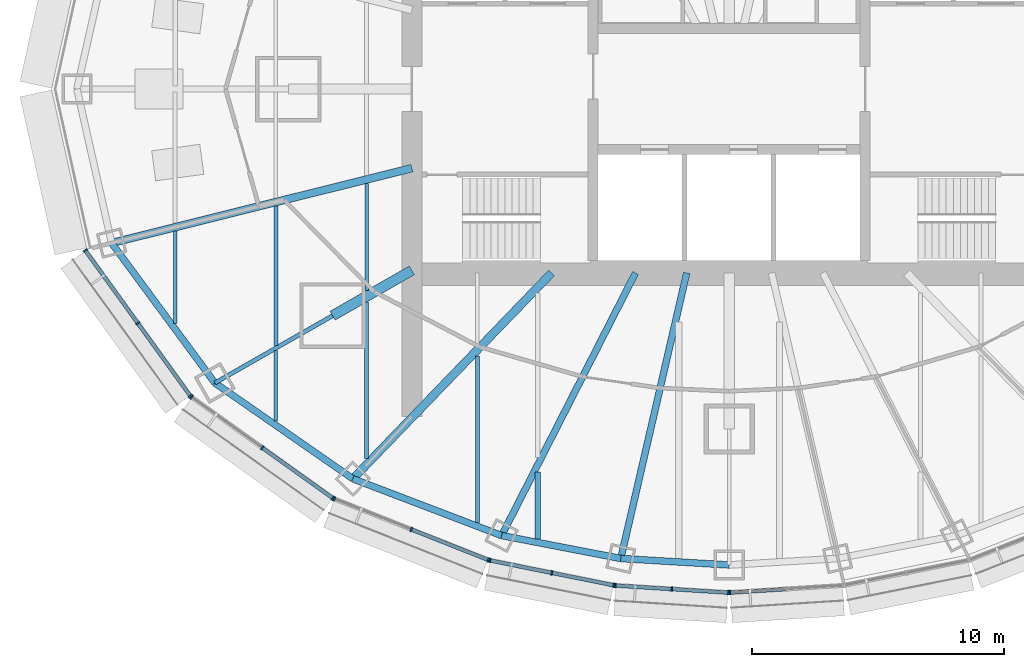
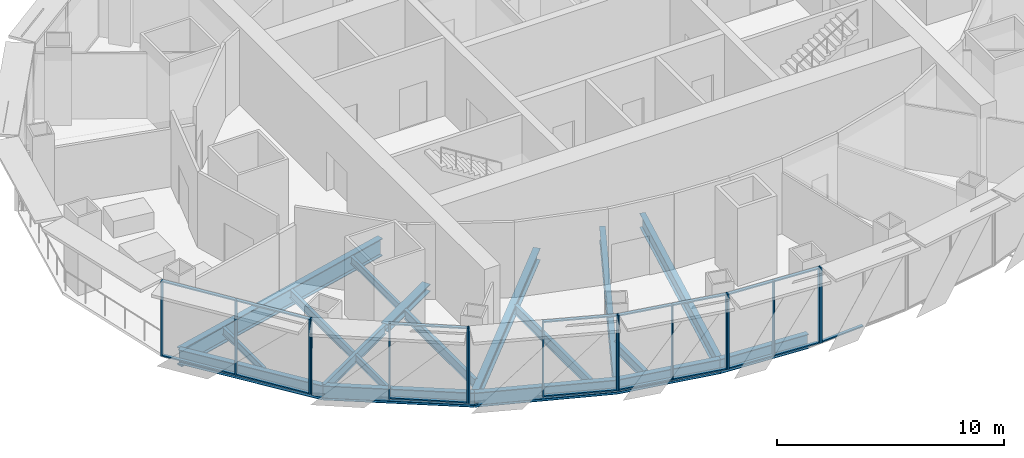
# One storey, part 2 of 16: 33 members, 18 beams, 6 elements without a shape of their own.
"""IFC4 building model written with IfcOpenShell, lengths in metres."""

from ifc_helpers import new_model, si_unit, direction, frame, origin, origin_2d, place, context, subcontext, project, spatial, rectangle, i_section, extrude, material, material_profile, profile_set, type_object, element, aggregate, save


model = new_model("IFC4")

# Units and contexts
model_context = context("Model", 3, precision=1e-05, world=origin(), true_north=direction((0.0, 1.0)))
body_context = subcontext(model_context, "Body", "Model", "MODEL_VIEW")
ifc_project = project(units=[si_unit("LENGTHUNIT", "METRE"), si_unit("AREAUNIT", "SQUARE_METRE"), si_unit("VOLUMEUNIT", "CUBIC_METRE"), si_unit("PLANEANGLEUNIT", "RADIAN"), si_unit("MASSUNIT", "GRAM", prefix="KILO")], contexts=[model_context])

# Site, building, storey
site_placement = place(None, origin())
site = spatial("IfcSite", under=ifc_project, at=site_placement, CompositionType="ELEMENT")
building_placement = place(site_placement, origin())
building = spatial("IfcBuilding", under=site, at=building_placement, Name="Lantaw Convention Tower", CompositionType="ELEMENT")
storey_placement = place(building_placement, frame((0.0, 0.0, 232.60009765625)))
storey = spatial("IfcBuildingStorey", under=building, at=storey_placement, Name="L54", CompositionType="ELEMENT", Elevation=232.60009765625)

# Beams
ifc_material_1 = material(Name="Steel ASTM A992", Category="steel")
ifc_material_profile_1 = material_profile(ifc_material_1, i_section(OverallWidth=0.2666015625, OverallDepth=0.76953125, WebThickness=0.015625, FlangeThickness=0.025390625, FilletRadius=0.0126953125, at=origin_2d()), Name="W30X132")
ifc_profile_set_1 = profile_set([ifc_material_profile_1], Name="Steel ASTM A992")
beam_type_1 = type_object("IfcBeamType", Name="Beam E W30X132", PredefinedType="SPANDREL", material=ifc_profile_set_1)
beam_1_placement = place(storey_placement, frame((-24.52197265625, -6.114013671875, -0.534912109375), z_axis=(0.593639188853, -0.804731329984, 0.0), x_axis=(0.804731329984, 0.593639188853, 0.0)))
element("IfcBeam", 1, at=beam_1_placement, inside=storey, type_object=beam_type_1, Name="Edge beam 14", PredefinedType="SPANDREL", context=body_context, shape_type="SweptSolid", body=[
    extrude(i_section(OverallWidth=0.2666015625, OverallDepth=0.76953125, WebThickness=0.015625, FlangeThickness=0.025390625, FilletRadius=0.0126953125, at=origin_2d()), origin(), (0.0, 0.0, 1.0), 6.904541015625),
])
beam_2_placement = place(storey_placement, frame((-20.423095703125, -11.67041015625, -0.534912109375), z_axis=(0.82135329406, -0.570419815869, 0.0), x_axis=(0.570419815869, 0.82135329406, 0.0)))
element("IfcBeam", 2, at=beam_2_placement, inside=storey, type_object=beam_type_1, Name="Edge beam 15", PredefinedType="SPANDREL", context=body_context, shape_type="SweptSolid", body=[
    extrude(i_section(OverallWidth=0.2666015625, OverallDepth=0.76953125, WebThickness=0.015625, FlangeThickness=0.025390625, FilletRadius=0.0126953125, at=origin_2d()), origin(), (0.0, 0.0, 1.0), 6.67041015625),
])
beam_3_placement = place(storey_placement, frame((-14.9443359375, -15.475341796875, -0.534912109375), z_axis=(0.934234988, -0.356658081637, 0.0), x_axis=(0.356658081637, 0.934234988, 0.0)))
element("IfcBeam", 3, at=beam_3_placement, inside=storey, type_object=beam_type_1, Name="Edge beam 16", PredefinedType="SPANDREL", context=body_context, shape_type="SweptSolid", body=[
    extrude(i_section(OverallWidth=0.2666015625, OverallDepth=0.76953125, WebThickness=0.015625, FlangeThickness=0.025390625, FilletRadius=0.0126953125, at=origin_2d()), origin(), (0.0, 0.0, 1.0), 6.32568359375),
])
beam_4_placement = place(storey_placement, frame((-9.03466796875, -17.7314453125, -0.534912109375), z_axis=(0.981972091702, -0.189025953556, 0.0), x_axis=(0.189025953556, 0.981972091702, 0.0)))
element("IfcBeam", 4, at=beam_4_placement, inside=storey, type_object=beam_type_1, Name="Edge beam 17", PredefinedType="SPANDREL", context=body_context, shape_type="SweptSolid", body=[
    extrude(i_section(OverallWidth=0.2666015625, OverallDepth=0.76953125, WebThickness=0.015625, FlangeThickness=0.025390625, FilletRadius=0.0126953125, at=origin_2d()), origin(), (0.0, 0.0, 1.0), 4.817626953125),
])
beam_5_placement = place(storey_placement, frame((-4.303955078125, -18.64208984375, -0.534912109375), z_axis=(0.998210730897, -0.059794119452, 0.0), x_axis=(0.059794119452, 0.998210730897, 0.0)))
element("IfcBeam", 5, at=beam_5_placement, inside=storey, type_object=beam_type_1, Name="Edge beam 18", PredefinedType="SPANDREL", context=body_context, shape_type="SweptSolid", body=[
    extrude(i_section(OverallWidth=0.2666015625, OverallDepth=0.76953125, WebThickness=0.015625, FlangeThickness=0.025390625, FilletRadius=0.0126953125, at=origin_2d()), origin(), (0.0, 0.0, 1.0), 4.311767578125),
])
ifc_material_profile_2 = material_profile(ifc_material_1, i_section(OverallWidth=0.1650390625, OverallDepth=0.52587890625, WebThickness=0.0087890625, FlangeThickness=0.011474609375, FilletRadius=0.0126953125, at=origin_2d()), Name="W21X44")
ifc_profile_set_2 = profile_set([ifc_material_profile_2], Name="Steel ASTM A992")
beam_type_2 = type_object("IfcBeamType", Name="Beam G W21X44", PredefinedType="BEAM", material=ifc_profile_set_2)
beam_6_placement = place(storey_placement, frame((-15.75, -9.0, -0.4130859375), z_axis=(-0.868237559289, -0.496148708192, 0.0), x_axis=(0.496148708192, -0.868237559289, 0.0)))
element("IfcBeam", 6, at=beam_6_placement, inside=storey, type_object=beam_type_2, Name="Floor girder on ray 15", PredefinedType="BEAM", context=body_context, shape_type="SweptSolid", body=[
    extrude(i_section(OverallWidth=0.1650390625, OverallDepth=0.52587890625, WebThickness=0.0087890625, FlangeThickness=0.011474609375, FilletRadius=0.0126953125, at=origin_2d()), origin(), (0.0, 0.0, 1.0), 5.38232421875),
])
ifc_material_profile_3 = material_profile(ifc_material_1, i_section(OverallWidth=0.32763671875, OverallDepth=0.64013671875, WebThickness=0.01904296875, FlangeThickness=0.033935546875, FilletRadius=0.0126953125, at=origin_2d()), Name="W24X176")
ifc_profile_set_3 = profile_set([ifc_material_profile_3], Name="Steel ASTM A992")
beam_type_3 = type_object("IfcBeamType", Name="Beam G W24X176", PredefinedType="BEAM", material=ifc_profile_set_3)
beam_7_placement = place(storey_placement, frame((-7.049560546875, -7.300048828125, -0.47021484375), z_axis=(-0.694657766726, -0.719340383356, 0.0), x_axis=(0.719340383356, -0.694657766726, 0.0)))
element("IfcBeam", 7, at=beam_7_placement, inside=storey, type_object=beam_type_3, Name="Floor girder on ray 16", PredefinedType="BEAM", context=body_context, shape_type="SweptSolid", body=[
    extrude(i_section(OverallWidth=0.32763671875, OverallDepth=0.64013671875, WebThickness=0.01904296875, FlangeThickness=0.033935546875, FilletRadius=0.0126953125, at=origin_2d()), origin(), (0.0, 0.0, 1.0), 11.364990234375),
])
ifc_material_profile_4 = material_profile(ifc_material_1, i_section(OverallWidth=0.2666015625, OverallDepth=0.7568359375, WebThickness=0.013916015625, FlangeThickness=0.019287109375, FilletRadius=0.0126953125, at=origin_2d()), Name="W30X108")
ifc_profile_set_4 = profile_set([ifc_material_profile_4], Name="Steel ASTM A992")
beam_type_4 = type_object("IfcBeamType", Name="Beam G W30X108", PredefinedType="BEAM", material=ifc_profile_set_4)
beam_8_placement = place(storey_placement, frame((-3.719482421875, -7.300048828125, -0.528564453125), z_axis=(-0.4539988787, -0.891002254845, 0.0), x_axis=(0.891002254845, -0.4539988787, 0.0)))
element("IfcBeam", 8, at=beam_8_placement, inside=storey, type_object=beam_type_4, Name="Floor girder on ray 17", PredefinedType="BEAM", context=body_context, shape_type="SweptSolid", body=[
    extrude(i_section(OverallWidth=0.2666015625, OverallDepth=0.7568359375, WebThickness=0.013916015625, FlangeThickness=0.019287109375, FilletRadius=0.0126953125, at=origin_2d()), origin(), (0.0, 0.0, 1.0), 11.70751953125),
])
beam_9_placement = place(storey_placement, frame((-1.685302734375, -7.300048828125, -0.528564453125), z_axis=(-0.224962134377, -0.974367506692, 0.0), x_axis=(0.974367506692, -0.224962134377, 0.0)))
element("IfcBeam", 9, at=beam_9_placement, inside=storey, type_object=beam_type_4, Name="Floor girder on ray 18", PredefinedType="BEAM", context=body_context, shape_type="SweptSolid", body=[
    extrude(i_section(OverallWidth=0.2666015625, OverallDepth=0.7568359375, WebThickness=0.013916015625, FlangeThickness=0.019287109375, FilletRadius=0.0126953125, at=origin_2d()), origin(), (0.0, 0.0, 1.0), 11.640380859375),
])
ifc_material_profile_5 = material_profile(ifc_material_1, i_section(OverallWidth=0.307373046875, OverallDepth=0.9423828125, WebThickness=0.022216796875, FlangeThickness=0.039794921875, FilletRadius=0.0126953125, at=origin_2d()), Name="W36X232")
ifc_profile_set_5 = profile_set([ifc_material_profile_5], Name="Steel ASTM A992")
beam_type_5 = type_object("IfcBeamType", Name="Beam G W36X232", PredefinedType="BEAM", material=ifc_profile_set_5)
beam_10_placement = place(storey_placement, frame((-12.60009765625, -3.1416015625, -0.621337890625), z_axis=(-0.970296589314, -0.241918434119, 0.0), x_axis=(0.241918434119, -0.970296589314, 0.0)))
element("IfcBeam", 10, at=beam_10_placement, inside=storey, type_object=beam_type_5, Name="Floor girder on ray 14", PredefinedType="BEAM", context=body_context, shape_type="SweptSolid", body=[
    extrude(i_section(OverallWidth=0.307373046875, OverallDepth=0.9423828125, WebThickness=0.022216796875, FlangeThickness=0.039794921875, FilletRadius=0.0126953125, at=origin_2d()), origin(), (0.0, 0.0, 1.0), 12.286865234375),
])
ifc_material_profile_6 = material_profile(ifc_material_1, i_section(OverallWidth=0.40380859375, OverallDepth=0.406494140625, WebThickness=0.027099609375, FlangeThickness=0.043701171875, FilletRadius=0.01513671875, at=origin_2d()), Name="W14X233")
ifc_profile_set_6 = profile_set([ifc_material_profile_6], Name="Steel ASTM A992")
beam_type_6 = type_object("IfcBeamType", Name="Beam GM W14X233", PredefinedType="BEAM", material=ifc_profile_set_6)
beam_11_placement = place(storey_placement, frame((-12.60009765625, -7.199951171875, -0.353271484375), z_axis=(-0.868230718294, -0.496160679428, 0.0), x_axis=(0.496160679428, -0.868230718294, 0.0)))
element("IfcBeam", 11, at=beam_11_placement, inside=storey, type_object=beam_type_6, Name="Core link beam on ray 15", PredefinedType="BEAM", context=body_context, shape_type="SweptSolid", body=[
    extrude(i_section(OverallWidth=0.40380859375, OverallDepth=0.406494140625, WebThickness=0.027099609375, FlangeThickness=0.043701171875, FilletRadius=0.01513671875, at=origin_2d()), origin(), (0.0, 0.0, 1.0), 3.6279296875),
])
ifc_material_profile_7 = material_profile(ifc_material_1, i_section(OverallWidth=0.140380859375, OverallDepth=0.40380859375, WebThickness=0.007080078125, FlangeThickness=0.01123046875, FilletRadius=0.01025390625, at=origin_2d()), Name="W16X31")
ifc_profile_set_7 = profile_set([ifc_material_profile_7], Name="Steel ASTM A992")
beam_type_7 = type_object("IfcBeamType", Name="Beam J W16X31", PredefinedType="JOIST", material=ifc_profile_set_7)
beam_12_placement = place(storey_placement, frame((-22.0, -9.30810546875, -0.35205078125), z_axis=(0.0, 1.0, 0.0), x_axis=(-1.0, 0.0, 0.0)))
element("IfcBeam", 12, at=beam_12_placement, inside=storey, type_object=beam_type_7, Name="Floor joist", PredefinedType="JOIST", context=body_context, shape_type="SweptSolid", body=[
    extrude(i_section(OverallWidth=0.140380859375, OverallDepth=0.40380859375, WebThickness=0.007080078125, FlangeThickness=0.01123046875, FilletRadius=0.01025390625, at=origin_2d()), origin(), (0.0, 0.0, 1.0), 3.66455078125),
])
beam_13_placement = place(storey_placement, frame((-18.0, -13.19091796875, -0.35205078125), z_axis=(0.0, 1.0, 0.0), x_axis=(-1.0, 0.0, 0.0)))
element("IfcBeam", 13, at=beam_13_placement, inside=storey, type_object=beam_type_7, Name="Floor joist", PredefinedType="JOIST", context=body_context, shape_type="SweptSolid", body=[
    extrude(i_section(OverallWidth=0.140380859375, OverallDepth=0.40380859375, WebThickness=0.007080078125, FlangeThickness=0.01123046875, FilletRadius=0.01025390625, at=origin_2d()), origin(), (0.0, 0.0, 1.0), 2.81005859375),
])
beam_14_placement = place(storey_placement, frame((-14.39990234375, -7.99609375, -0.35205078125), z_axis=(0.0, 1.0, 0.0), x_axis=(-1.0, 0.0, 0.0)))
element("IfcBeam", 14, at=beam_14_placement, inside=storey, type_object=beam_type_7, Name="Floor joist", PredefinedType="JOIST", context=body_context, shape_type="SweptSolid", body=[
    extrude(i_section(OverallWidth=0.140380859375, OverallDepth=0.40380859375, WebThickness=0.007080078125, FlangeThickness=0.01123046875, FilletRadius=0.01025390625, at=origin_2d()), origin(), (0.0, 0.0, 1.0), 4.247314453125),
])
ifc_material_profile_8 = material_profile(ifc_material_1, i_section(OverallWidth=0.15234375, OverallDepth=0.449462890625, WebThickness=0.007568359375, FlangeThickness=0.0107421875, FilletRadius=0.01025390625, at=origin_2d()), Name="W18X35")
ifc_profile_set_8 = profile_set([ifc_material_profile_8], Name="Steel ASTM A992")
beam_type_8 = type_object("IfcBeamType", Name="Beam J W18X35", PredefinedType="JOIST", material=ifc_profile_set_8)
beam_15_placement = place(storey_placement, frame((-18.0, -10.190673828125, -0.375), z_axis=(0.0, 1.0, 0.0), x_axis=(-1.0, 0.0, 0.0)))
element("IfcBeam", 15, at=beam_15_placement, inside=storey, type_object=beam_type_8, Name="Floor joist", PredefinedType="JOIST", context=body_context, shape_type="SweptSolid", body=[
    extrude(i_section(OverallWidth=0.15234375, OverallDepth=0.449462890625, WebThickness=0.007568359375, FlangeThickness=0.0107421875, FilletRadius=0.01025390625, at=origin_2d()), origin(), (0.0, 0.0, 1.0), 5.54443359375),
])
ifc_material_profile_9 = material_profile(ifc_material_1, i_section(OverallWidth=0.1650390625, OverallDepth=0.52587890625, WebThickness=0.0087890625, FlangeThickness=0.011474609375, FilletRadius=0.0126953125, at=origin_2d()), Name="W21X44")
ifc_profile_set_9 = profile_set([ifc_material_profile_9], Name="Steel ASTM A992")
beam_type_9 = type_object("IfcBeamType", Name="Beam J W21X44", PredefinedType="JOIST", material=ifc_profile_set_9)
beam_16_placement = place(storey_placement, frame((-14.39990234375, -14.67578125, -0.4130859375), z_axis=(0.0, 1.0, 0.0), x_axis=(-1.0, 0.0, 0.0)))
element("IfcBeam", 16, at=beam_16_placement, inside=storey, type_object=beam_type_9, Name="Floor joist", PredefinedType="JOIST", context=body_context, shape_type="SweptSolid", body=[
    extrude(i_section(OverallWidth=0.1650390625, OverallDepth=0.52587890625, WebThickness=0.0087890625, FlangeThickness=0.011474609375, FilletRadius=0.0126953125, at=origin_2d()), origin(), (0.0, 0.0, 1.0), 6.214599609375),
])
beam_17_placement = place(storey_placement, frame((-10.0, -17.22021484375, -0.4130859375), z_axis=(0.0, 1.0, 0.0), x_axis=(-1.0, 0.0, 0.0)))
element("IfcBeam", 17, at=beam_17_placement, inside=storey, type_object=beam_type_9, Name="Floor joist", PredefinedType="JOIST", context=body_context, shape_type="SweptSolid", body=[
    extrude(i_section(OverallWidth=0.1650390625, OverallDepth=0.52587890625, WebThickness=0.0087890625, FlangeThickness=0.011474609375, FilletRadius=0.0126953125, at=origin_2d()), origin(), (0.0, 0.0, 1.0), 6.629150390625),
])
ifc_material_profile_10 = material_profile(ifc_material_1, i_section(OverallWidth=0.2099609375, OverallDepth=0.535888671875, WebThickness=0.010986328125, FlangeThickness=0.017333984375, FilletRadius=0.012939453125, at=origin_2d()), Name="W21X68")
ifc_profile_set_10 = profile_set([ifc_material_profile_10], Name="Steel ASTM A992")
beam_type_10 = type_object("IfcBeamType", Name="Beam J W21X68", PredefinedType="JOIST", material=ifc_profile_set_10)
beam_18_placement = place(storey_placement, frame((-7.60009765625, -17.871826171875, -0.41796875), z_axis=(0.0, 1.0, 0.0), x_axis=(-1.0, 0.0, 0.0)))
element("IfcBeam", 18, at=beam_18_placement, inside=storey, type_object=beam_type_10, Name="Floor joist", PredefinedType="JOIST", context=body_context, shape_type="SweptSolid", body=[
    extrude(i_section(OverallWidth=0.2099609375, OverallDepth=0.535888671875, WebThickness=0.010986328125, FlangeThickness=0.017333984375, FilletRadius=0.012939453125, at=origin_2d()), origin(), (0.0, 0.0, 1.0), 2.662353515625),
])

# Curtain wall, members
ifc_material_2 = material(Name="Aluminium framed curtain wall", Category="aluminium")
curtain_wall_type = type_object("IfcCurtainWallType", Name="Office curtain wall high rise, pale aluminium", PredefinedType="USERDEFINED", material=ifc_material_2)
curtain_wall_1_placement = place(storey_placement, origin())
curtain_wall_1 = element("IfcCurtainWall", 19, at=curtain_wall_1_placement, inside=storey, type_object=curtain_wall_type, Name="Office curtain wall high rise, pale aluminium L54", ObjectType="UNITISED CURTAIN WALL", PredefinedType="USERDEFINED")
ifc_material_3 = material(Name="Aluminium 6063-T6", Category="aluminium")
ifc_material_profile_11 = material_profile(ifc_material_3, rectangle(XDim=0.179931640625, YDim=0.06494140625, at=origin_2d()), Name="CW-O2 mullion 65x180")
ifc_profile_set_11 = profile_set([ifc_material_profile_11], Name="Aluminium 6063-T6")
member_type_1 = type_object("IfcMemberType", Name="CW-O2 mullion 65x180", PredefinedType="MULLION", material=ifc_profile_set_11)
member_1_placement = place(storey_placement, frame((-25.5703125, -6.406494140625, 0.0), z_axis=(0.0, 0.0, 1.0), x_axis=(0.810919559405, 0.585157643865, 0.0)))
member_1 = element("IfcMember", 20, at=member_1_placement, type_object=member_type_1, Name="CW-O2 mullion 1", PredefinedType="MULLION", context=body_context, shape_type="SweptSolid", body=[
    extrude(rectangle(XDim=0.179931640625, YDim=0.06494140625, at=origin_2d()), origin(), (0.0, 0.0, 1.0), 4.0498046875),
])
member_2_placement = place(storey_placement, frame((-23.483642578125, -9.298095703125, 0.0), z_axis=(0.0, 0.0, 1.0), x_axis=(0.810919559405, 0.585157643865, 0.0)))
member_2 = element("IfcMember", 21, at=member_2_placement, type_object=member_type_1, Name="CW-O2 mullion 2", PredefinedType="MULLION", context=body_context, shape_type="SweptSolid", body=[
    extrude(rectangle(XDim=0.179931640625, YDim=0.06494140625, at=origin_2d()), origin(), (0.0, 0.0, 1.0), 4.0498046875),
])
member_3_placement = place(storey_placement, frame((-21.397216796875, -12.189697265625, 0.0), z_axis=(0.0, 0.0, 1.0), x_axis=(0.810919559405, 0.585157643865, 0.0)))
member_3 = element("IfcMember", 22, at=member_3_placement, type_object=member_type_1, Name="CW-O2 mullion 3", PredefinedType="MULLION", context=body_context, shape_type="SweptSolid", body=[
    extrude(rectangle(XDim=0.179931640625, YDim=0.06494140625, at=origin_2d()), origin(), (0.0, 0.0, 1.0), 4.0498046875),
])

curtain_wall_2_placement = place(storey_placement, origin())
curtain_wall_2 = element("IfcCurtainWall", 23, at=curtain_wall_2_placement, inside=storey, type_object=curtain_wall_type, Name="Office curtain wall high rise, pale aluminium L54", ObjectType="UNITISED CURTAIN WALL", PredefinedType="USERDEFINED")
member_4_placement = place(storey_placement, frame((-21.3515625, -12.23486328125, 0.0), z_axis=(0.0, 0.0, 1.0), x_axis=(0.581323487281, 0.813672540482, 0.0)))
member_4 = element("IfcMember", 24, at=member_4_placement, type_object=member_type_1, Name="CW-O2 mullion 1", PredefinedType="MULLION", context=body_context, shape_type="SweptSolid", body=[
    extrude(rectangle(XDim=0.179931640625, YDim=0.06494140625, at=origin_2d()), origin(), (0.0, 0.0, 1.0), 4.0498046875),
])
member_5_placement = place(storey_placement, frame((-18.543212890625, -14.241455078125, 0.0), z_axis=(0.0, 0.0, 1.0), x_axis=(0.581323487281, 0.813672540482, 0.0)))
member_5 = element("IfcMember", 25, at=member_5_placement, type_object=member_type_1, Name="CW-O2 mullion 2", PredefinedType="MULLION", context=body_context, shape_type="SweptSolid", body=[
    extrude(rectangle(XDim=0.179931640625, YDim=0.06494140625, at=origin_2d()), origin(), (0.0, 0.0, 1.0), 4.0498046875),
])
member_6_placement = place(storey_placement, frame((-15.73486328125, -16.247802734375, 0.0), z_axis=(0.0, 0.0, 1.0), x_axis=(0.581323487281, 0.813672540482, 0.0)))
member_6 = element("IfcMember", 26, at=member_6_placement, type_object=member_type_1, Name="CW-O2 mullion 3", PredefinedType="MULLION", context=body_context, shape_type="SweptSolid", body=[
    extrude(rectangle(XDim=0.179931640625, YDim=0.06494140625, at=origin_2d()), origin(), (0.0, 0.0, 1.0), 4.0498046875),
])

curtain_wall_3_placement = place(storey_placement, origin())
curtain_wall_3 = element("IfcCurtainWall", 27, at=curtain_wall_3_placement, inside=storey, type_object=curtain_wall_type, Name="Office curtain wall high rise, pale aluminium L54", ObjectType="UNITISED CURTAIN WALL", PredefinedType="USERDEFINED")
member_7_placement = place(storey_placement, frame((-15.67822265625, -16.278564453125, 0.0), z_axis=(0.0, 0.0, 1.0), x_axis=(0.368162315252, 0.929761533743, 0.0)))
member_7 = element("IfcMember", 28, at=member_7_placement, type_object=member_type_1, Name="CW-O2 mullion 1", PredefinedType="MULLION", context=body_context, shape_type="SweptSolid", body=[
    extrude(rectangle(XDim=0.179931640625, YDim=0.06494140625, at=origin_2d()), origin(), (0.0, 0.0, 1.0), 4.0498046875),
])
member_8_placement = place(storey_placement, frame((-12.621337890625, -17.4892578125, 0.0), z_axis=(0.0, 0.0, 1.0), x_axis=(0.368162315252, 0.929761533743, 0.0)))
member_8 = element("IfcMember", 29, at=member_8_placement, type_object=member_type_1, Name="CW-O2 mullion 2", PredefinedType="MULLION", context=body_context, shape_type="SweptSolid", body=[
    extrude(rectangle(XDim=0.179931640625, YDim=0.06494140625, at=origin_2d()), origin(), (0.0, 0.0, 1.0), 4.0498046875),
])
member_9_placement = place(storey_placement, frame((-9.564208984375, -18.69970703125, 0.0), z_axis=(0.0, 0.0, 1.0), x_axis=(0.368162315252, 0.929761533743, 0.0)))
member_9 = element("IfcMember", 30, at=member_9_placement, type_object=member_type_1, Name="CW-O2 mullion 3", PredefinedType="MULLION", context=body_context, shape_type="SweptSolid", body=[
    extrude(rectangle(XDim=0.179931640625, YDim=0.06494140625, at=origin_2d()), origin(), (0.0, 0.0, 1.0), 4.0498046875),
])

curtain_wall_4_placement = place(storey_placement, origin())
curtain_wall_4 = element("IfcCurtainWall", 31, at=curtain_wall_4_placement, inside=storey, type_object=curtain_wall_type, Name="Office curtain wall high rise, pale aluminium L54", ObjectType="UNITISED CURTAIN WALL", PredefinedType="USERDEFINED")
member_10_placement = place(storey_placement, frame((-9.502197265625, -18.718017578125, 0.0), z_axis=(0.0, 0.0, 1.0), x_axis=(0.197183095987, 0.980366679695, 0.0)))
member_10 = element("IfcMember", 32, at=member_10_placement, type_object=member_type_1, Name="CW-O2 mullion 1", PredefinedType="MULLION", context=body_context, shape_type="SweptSolid", body=[
    extrude(rectangle(XDim=0.179931640625, YDim=0.06494140625, at=origin_2d()), origin(), (0.0, 0.0, 1.0), 4.0498046875),
])
member_11_placement = place(storey_placement, frame((-7.042724609375, -19.212646484375, 0.0), z_axis=(0.0, 0.0, 1.0), x_axis=(0.197183095987, 0.980366679695, 0.0)))
member_11 = element("IfcMember", 33, at=member_11_placement, type_object=member_type_1, Name="CW-O2 mullion 2", PredefinedType="MULLION", context=body_context, shape_type="SweptSolid", body=[
    extrude(rectangle(XDim=0.179931640625, YDim=0.06494140625, at=origin_2d()), origin(), (0.0, 0.0, 1.0), 4.0498046875),
])
member_12_placement = place(storey_placement, frame((-4.583251953125, -19.70751953125, 0.0), z_axis=(0.0, 0.0, 1.0), x_axis=(0.197183095987, 0.980366679695, 0.0)))
member_12 = element("IfcMember", 34, at=member_12_placement, type_object=member_type_1, Name="CW-O2 mullion 3", PredefinedType="MULLION", context=body_context, shape_type="SweptSolid", body=[
    extrude(rectangle(XDim=0.179931640625, YDim=0.06494140625, at=origin_2d()), origin(), (0.0, 0.0, 1.0), 4.0498046875),
])

curtain_wall_5_placement = place(storey_placement, origin())
curtain_wall_5 = element("IfcCurtainWall", 35, at=curtain_wall_5_placement, inside=storey, type_object=curtain_wall_type, Name="Office curtain wall high rise, pale aluminium L54", ObjectType="UNITISED CURTAIN WALL", PredefinedType="USERDEFINED")
member_13_placement = place(storey_placement, frame((-4.518798828125, -19.7158203125, 0.0), z_axis=(0.0, 0.0, 1.0), x_axis=(0.062757983884, 0.998028774865, 0.0)))
member_13 = element("IfcMember", 36, at=member_13_placement, type_object=member_type_1, Name="CW-O2 mullion 1", PredefinedType="MULLION", context=body_context, shape_type="SweptSolid", body=[
    extrude(rectangle(XDim=0.179931640625, YDim=0.06494140625, at=origin_2d()), origin(), (0.0, 0.0, 1.0), 4.0498046875),
])
member_14_placement = place(storey_placement, frame((-2.275634765625, -19.85693359375, 0.0), z_axis=(0.0, 0.0, 1.0), x_axis=(0.062757983884, 0.998028774865, 0.0)))
member_14 = element("IfcMember", 37, at=member_14_placement, type_object=member_type_1, Name="CW-O2 mullion 2", PredefinedType="MULLION", context=body_context, shape_type="SweptSolid", body=[
    extrude(rectangle(XDim=0.179931640625, YDim=0.06494140625, at=origin_2d()), origin(), (0.0, 0.0, 1.0), 4.0498046875),
])
member_15_placement = place(storey_placement, frame((-0.032470703125, -19.998046875, 0.0), z_axis=(0.0, 0.0, 1.0), x_axis=(0.062757983884, 0.998028774865, 0.0)))
member_15 = element("IfcMember", 38, at=member_15_placement, type_object=member_type_1, Name="CW-O2 mullion 3", PredefinedType="MULLION", context=body_context, shape_type="SweptSolid", body=[
    extrude(rectangle(XDim=0.179931640625, YDim=0.06494140625, at=origin_2d()), origin(), (0.0, 0.0, 1.0), 4.0498046875),
])

# Curtain wall, member
curtain_wall_6_placement = place(storey_placement, origin())
curtain_wall_6 = element("IfcCurtainWall", 39, at=curtain_wall_6_placement, inside=storey, type_object=curtain_wall_type, Name="Office curtain wall high rise, pale aluminium L54", ObjectType="UNITISED CURTAIN WALL", PredefinedType="USERDEFINED")
member_16_placement = place(storey_placement, frame((0.032470703125, -19.998046875, 0.0), z_axis=(0.0, 0.0, 1.0), x_axis=(-0.062757983884, 0.998028774865, 0.0)))
member_16 = element("IfcMember", 40, at=member_16_placement, type_object=member_type_1, Name="CW-O2 mullion 1", PredefinedType="MULLION", context=body_context, shape_type="SweptSolid", body=[
    extrude(rectangle(XDim=0.179931640625, YDim=0.06494140625, at=origin_2d()), origin(), (0.0, 0.0, 1.0), 4.0498046875),
])

# Member
ifc_material_profile_12 = material_profile(ifc_material_3, rectangle(XDim=0.14990234375, YDim=0.06494140625, at=origin_2d()), Name="CW-O2 transom 65x150")
ifc_profile_set_12 = profile_set([ifc_material_profile_12], Name="Aluminium 6063-T6")
member_type_2 = type_object("IfcMemberType", Name="CW-O2 transom 65x150", PredefinedType="USERDEFINED", material=ifc_profile_set_12)
member_17_placement = place(storey_placement, frame((-25.55126953125, -6.432861328125, 0.032470703125), z_axis=(0.585169685931, -0.810910869743, 0.0), x_axis=(0.810910869743, 0.585169685931, 0.0)))
member_17 = element("IfcMember", 41, at=member_17_placement, type_object=member_type_2, Name="CW-O2 transom 1.1", ObjectType="TRANSOM", PredefinedType="USERDEFINED", context=body_context, shape_type="SweptSolid", body=[
    extrude(rectangle(XDim=0.14990234375, YDim=0.06494140625, at=origin_2d()), origin(), (0.0, 0.0, 1.0), 3.500732421875),
])

member_18_placement = place(storey_placement, frame((-25.55126953125, -6.432861328125, 4.017333984375), z_axis=(0.585169685931, -0.810910869743, 0.0), x_axis=(0.810910869743, 0.585169685931, 0.0)))
member_18 = element("IfcMember", 42, at=member_18_placement, type_object=member_type_2, Name="CW-O2 transom 1.2", ObjectType="TRANSOM", PredefinedType="USERDEFINED", context=body_context, shape_type="SweptSolid", body=[
    extrude(rectangle(XDim=0.14990234375, YDim=0.06494140625, at=origin_2d()), origin(), (0.0, 0.0, 1.0), 3.500732421875),
])

member_19_placement = place(storey_placement, frame((-23.464599609375, -9.324462890625, 0.032470703125), z_axis=(0.585123825205, -0.810943961798, 0.0), x_axis=(0.810943961798, 0.585123825205, 0.0)))
member_19 = element("IfcMember", 43, at=member_19_placement, type_object=member_type_2, Name="CW-O2 transom 2.1", ObjectType="TRANSOM", PredefinedType="USERDEFINED", context=body_context, shape_type="SweptSolid", body=[
    extrude(rectangle(XDim=0.14990234375, YDim=0.06494140625, at=origin_2d()), origin(), (0.0, 0.0, 1.0), 3.500732421875),
])

member_20_placement = place(storey_placement, frame((-23.464599609375, -9.324462890625, 4.017333984375), z_axis=(0.585123825205, -0.810943961798, 0.0), x_axis=(0.810943961798, 0.585123825205, 0.0)))
member_20 = element("IfcMember", 44, at=member_20_placement, type_object=member_type_2, Name="CW-O2 transom 2.2", ObjectType="TRANSOM", PredefinedType="USERDEFINED", context=body_context, shape_type="SweptSolid", body=[
    extrude(rectangle(XDim=0.14990234375, YDim=0.06494140625, at=origin_2d()), origin(), (0.0, 0.0, 1.0), 3.500732421875),
])

aggregate(curtain_wall_1, [member_1, member_2, member_3, member_17, member_18, member_19, member_20])

member_21_placement = place(storey_placement, frame((-18.516845703125, -14.26025390625, 0.032470703125), z_axis=(0.813645780821, -0.581360940683, 0.0), x_axis=(0.581360940683, 0.813645780821, 0.0)))
member_21 = element("IfcMember", 45, at=member_21_placement, type_object=member_type_2, Name="CW-O2 transom 2.1", ObjectType="TRANSOM", PredefinedType="USERDEFINED", context=body_context, shape_type="SweptSolid", body=[
    extrude(rectangle(XDim=0.14990234375, YDim=0.06494140625, at=origin_2d()), origin(), (0.0, 0.0, 1.0), 3.386474609375),
])

member_22_placement = place(storey_placement, frame((-18.516845703125, -14.26025390625, 4.017333984375), z_axis=(0.813645780821, -0.581360940683, 0.0), x_axis=(0.581360940683, 0.813645780821, 0.0)))
member_22 = element("IfcMember", 46, at=member_22_placement, type_object=member_type_2, Name="CW-O2 transom 2.2", ObjectType="TRANSOM", PredefinedType="USERDEFINED", context=body_context, shape_type="SweptSolid", body=[
    extrude(rectangle(XDim=0.14990234375, YDim=0.06494140625, at=origin_2d()), origin(), (0.0, 0.0, 1.0), 3.386474609375),
])

aggregate(curtain_wall_2, [member_4, member_5, member_6, member_21, member_22])

member_23_placement = place(storey_placement, frame((-12.591064453125, -17.501220703125, 0.032470703125), z_axis=(0.929766642946, -0.368149412149, 0.0), x_axis=(0.368149412149, 0.929766642946, 0.0)))
member_23 = element("IfcMember", 47, at=member_23_placement, type_object=member_type_2, Name="CW-O2 transom 2.1", ObjectType="TRANSOM", PredefinedType="USERDEFINED", context=body_context, shape_type="SweptSolid", body=[
    extrude(rectangle(XDim=0.14990234375, YDim=0.06494140625, at=origin_2d()), origin(), (0.0, 0.0, 1.0), 3.222900390625),
])

member_24_placement = place(storey_placement, frame((-12.591064453125, -17.501220703125, 4.017333984375), z_axis=(0.929766642946, -0.368149412149, 0.0), x_axis=(0.368149412149, 0.929766642946, 0.0)))
member_24 = element("IfcMember", 48, at=member_24_placement, type_object=member_type_2, Name="CW-O2 transom 2.2", ObjectType="TRANSOM", PredefinedType="USERDEFINED", context=body_context, shape_type="SweptSolid", body=[
    extrude(rectangle(XDim=0.14990234375, YDim=0.06494140625, at=origin_2d()), origin(), (0.0, 0.0, 1.0), 3.222900390625),
])

aggregate(curtain_wall_3, [member_7, member_8, member_9, member_23, member_24])

member_25_placement = place(storey_placement, frame((-9.47021484375, -18.724365234375, 0.032470703125), z_axis=(0.98036104319, -0.197211117829, 0.0), x_axis=(0.197211117829, 0.98036104319, 0.0)))
member_25 = element("IfcMember", 49, at=member_25_placement, type_object=member_type_2, Name="CW-O2 transom 1.1", ObjectType="TRANSOM", PredefinedType="USERDEFINED", context=body_context, shape_type="SweptSolid", body=[
    extrude(rectangle(XDim=0.14990234375, YDim=0.06494140625, at=origin_2d()), origin(), (0.0, 0.0, 1.0), 2.44384765625),
])

member_26_placement = place(storey_placement, frame((-9.47021484375, -18.724365234375, 4.017333984375), z_axis=(0.98036104319, -0.197211117829, 0.0), x_axis=(0.197211117829, 0.98036104319, 0.0)))
member_26 = element("IfcMember", 50, at=member_26_placement, type_object=member_type_2, Name="CW-O2 transom 1.2", ObjectType="TRANSOM", PredefinedType="USERDEFINED", context=body_context, shape_type="SweptSolid", body=[
    extrude(rectangle(XDim=0.14990234375, YDim=0.06494140625, at=origin_2d()), origin(), (0.0, 0.0, 1.0), 2.44384765625),
])

member_27_placement = place(storey_placement, frame((-7.0107421875, -19.21923828125, 0.032470703125), z_axis=(0.980380354178, -0.197115096178, 0.0), x_axis=(0.197115096178, 0.980380354178, 0.0)))
member_27 = element("IfcMember", 51, at=member_27_placement, type_object=member_type_2, Name="CW-O2 transom 2.1", ObjectType="TRANSOM", PredefinedType="USERDEFINED", context=body_context, shape_type="SweptSolid", body=[
    extrude(rectangle(XDim=0.14990234375, YDim=0.06494140625, at=origin_2d()), origin(), (0.0, 0.0, 1.0), 2.443603515625),
])

member_28_placement = place(storey_placement, frame((-7.0107421875, -19.21923828125, 4.017333984375), z_axis=(0.980380354178, -0.197115096178, 0.0), x_axis=(0.197115096178, 0.980380354178, 0.0)))
member_28 = element("IfcMember", 52, at=member_28_placement, type_object=member_type_2, Name="CW-O2 transom 2.2", ObjectType="TRANSOM", PredefinedType="USERDEFINED", context=body_context, shape_type="SweptSolid", body=[
    extrude(rectangle(XDim=0.14990234375, YDim=0.06494140625, at=origin_2d()), origin(), (0.0, 0.0, 1.0), 2.443603515625),
])

aggregate(curtain_wall_4, [member_10, member_11, member_12, member_25, member_26, member_27, member_28])

member_29_placement = place(storey_placement, frame((-4.486328125, -19.7177734375, 0.032470703125), z_axis=(0.998021991509, -0.062865765437, 0.0), x_axis=(0.062865765437, 0.998021991509, 0.0)))
member_29 = element("IfcMember", 53, at=member_29_placement, type_object=member_type_2, Name="CW-O2 transom 1.1", ObjectType="TRANSOM", PredefinedType="USERDEFINED", context=body_context, shape_type="SweptSolid", body=[
    extrude(rectangle(XDim=0.14990234375, YDim=0.06494140625, at=origin_2d()), origin(), (0.0, 0.0, 1.0), 2.1826171875),
])

member_30_placement = place(storey_placement, frame((-4.486328125, -19.7177734375, 4.017333984375), z_axis=(0.998021991509, -0.062865765437, 0.0), x_axis=(0.062865765437, 0.998021991509, 0.0)))
member_30 = element("IfcMember", 54, at=member_30_placement, type_object=member_type_2, Name="CW-O2 transom 1.2", ObjectType="TRANSOM", PredefinedType="USERDEFINED", context=body_context, shape_type="SweptSolid", body=[
    extrude(rectangle(XDim=0.14990234375, YDim=0.06494140625, at=origin_2d()), origin(), (0.0, 0.0, 1.0), 2.1826171875),
])

member_31_placement = place(storey_placement, frame((-2.2431640625, -19.85888671875, 0.032470703125), z_axis=(0.998029003644, -0.062754345555, 0.0), x_axis=(0.062754345555, 0.998029003644, 0.0)))
member_31 = element("IfcMember", 55, at=member_31_placement, type_object=member_type_2, Name="CW-O2 transom 2.1", ObjectType="TRANSOM", PredefinedType="USERDEFINED", context=body_context, shape_type="SweptSolid", body=[
    extrude(rectangle(XDim=0.14990234375, YDim=0.06494140625, at=origin_2d()), origin(), (0.0, 0.0, 1.0), 2.1826171875),
])

member_32_placement = place(storey_placement, frame((-2.2431640625, -19.85888671875, 4.017333984375), z_axis=(0.998029003644, -0.062754345555, 0.0), x_axis=(0.062754345555, 0.998029003644, 0.0)))
member_32 = element("IfcMember", 56, at=member_32_placement, type_object=member_type_2, Name="CW-O2 transom 2.2", ObjectType="TRANSOM", PredefinedType="USERDEFINED", context=body_context, shape_type="SweptSolid", body=[
    extrude(rectangle(XDim=0.14990234375, YDim=0.06494140625, at=origin_2d()), origin(), (0.0, 0.0, 1.0), 2.1826171875),
])

aggregate(curtain_wall_5, [member_13, member_14, member_15, member_29, member_30, member_31, member_32])

member_33_placement = place(storey_placement, frame((0.06494140625, -19.995849609375, 0.032470703125), z_axis=(0.998029003644, 0.062754345555, 0.0), x_axis=(-0.062754345555, 0.998029003644, 0.0)))
member_33 = element("IfcMember", 57, at=member_33_placement, type_object=member_type_2, Name="CW-O2 transom 1.1", ObjectType="TRANSOM", PredefinedType="USERDEFINED", context=body_context, shape_type="SweptSolid", body=[
    extrude(rectangle(XDim=0.14990234375, YDim=0.06494140625, at=origin_2d()), origin(), (0.0, 0.0, 1.0), 2.1826171875),
])

aggregate(curtain_wall_6, [member_16, member_33])

save(model, "model.ifc")
